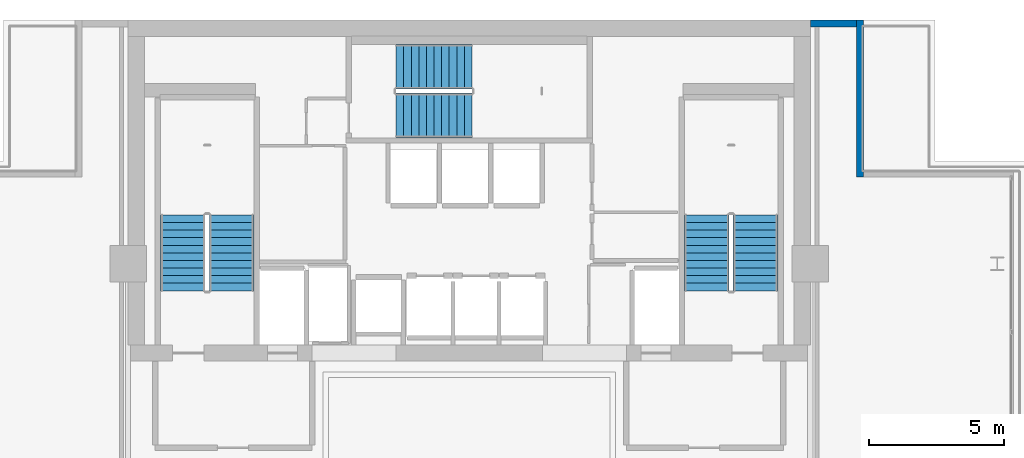
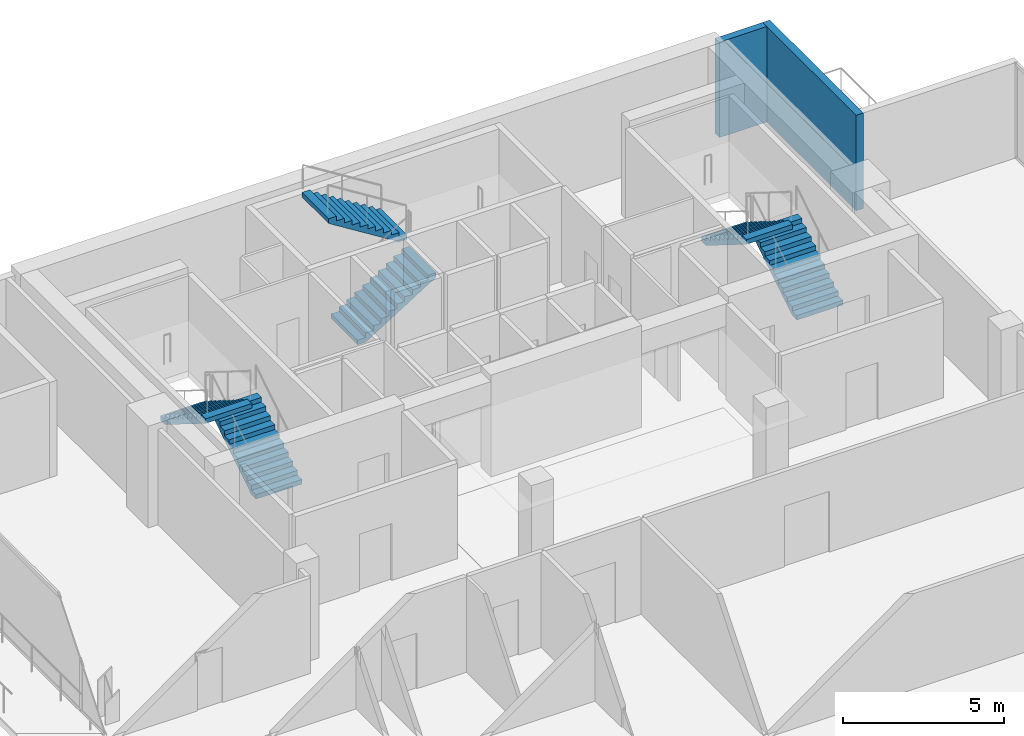
# One storey, part 18 of 21: 6 stair flights, 2 walls, 3 elements without a shape of their own.
"""IFC4 building model written with IfcOpenShell, lengths in metres."""

from ifc_helpers import new_model, si_unit, direction, frame, frame_2d, origin, place, context, subcontext, project, spatial, polyline, rectangle, outline, extrude, material, layer, layer_set, type_object, element, aggregate, save


model = new_model("IFC4")

# Units and contexts
model_context = context("Model", 3, precision=1e-05, world=origin(), true_north=direction((0.0, 1.0)))
body_context = subcontext(model_context, "Body", "Model", "MODEL_VIEW")
ifc_project = project(units=[si_unit("LENGTHUNIT", "METRE"), si_unit("AREAUNIT", "SQUARE_METRE"), si_unit("VOLUMEUNIT", "CUBIC_METRE"), si_unit("PLANEANGLEUNIT", "RADIAN"), si_unit("MASSUNIT", "GRAM", prefix="KILO")], contexts=[model_context])

# Site, building, storey
site_placement = place(None, origin())
site = spatial("IfcSite", under=ifc_project, at=site_placement, CompositionType="ELEMENT")
building_placement = place(site_placement, origin())
building = spatial("IfcBuilding", under=site, at=building_placement, Name="Maruvema Waterfront Hotel and Observation Tower", CompositionType="ELEMENT")
storey_placement = place(building_placement, frame((0.0, 0.0, 322.0)))
storey = spatial("IfcBuildingStorey", under=building, at=storey_placement, Name="L79", CompositionType="ELEMENT", Elevation=322.0)

# Walls
ifc_material_1 = material(Name="Precast concrete C45/55 with honed Pernambuco granite facing", Category="masonry")
ifc_layer = layer(ifc_material_1, 0.260009765625, Name="Exterior Granite Clad Spandrel and Pier Wall 260 mm")
ifc_layer_set = layer_set([ifc_layer], Name="Precast concrete C45/55 with honed Pernambuco granite facing")
wall_type = type_object("IfcWallType", Name="Exterior Granite Clad Spandrel and Pier Wall 260 mm", PredefinedType="SOLIDWALL", material=ifc_layer_set)
wall_1_placement = place(storey_placement, frame((52.22998046875, 54.0, 0.0), z_axis=(0.0, 0.0, 1.0), x_axis=(0.0, -1.0, 0.0)))
element("IfcWall", 1, at=wall_1_placement, inside=storey, type_object=wall_type, Name="L79 Corner Notch Granite Pier Wall NE1", PredefinedType="SOLIDWALL", context=body_context, shape_type="SweptSolid", body=[
    extrude(rectangle(XDim=5.800048828125, YDim=0.260009765625, at=frame_2d((2.89990234375, 0.0))), origin(), (0.0, 0.0, 1.0), 3.610107421875),
])
wall_2_placement = place(storey_placement, frame((52.10009765625, 53.8701171875, 0.0), z_axis=(0.0, 0.0, 1.0), x_axis=(-1.0, 0.0, 0.0)))
element("IfcWall", 2, at=wall_2_placement, inside=storey, type_object=wall_type, Name="L79 North-East Core Flanking Pier Wall", PredefinedType="SOLIDWALL", context=body_context, shape_type="SweptSolid", body=[
    extrude(rectangle(XDim=1.7001953125, YDim=0.260009765625, at=frame_2d((0.85009765625, 0.0))), origin(), (0.0, 0.0, 1.0), 3.610107421875),
])

# Stair, stair flights
ifc_material_2 = material(Name="Concrete C50/60", Category="concrete")
stair_type = type_object("IfcStairType", Name="Dogleg Exit Stair 1650 mm (22R x 175.0 mm)", PredefinedType="HALF_TURN_STAIR", material=ifc_material_2)
stair_1_placement = place(storey_placement, origin())
stair_1 = element("IfcStair", 3, at=stair_1_placement, inside=storey, type_object=stair_type, Name="L79 ST-01", PredefinedType="HALF_TURN_STAIR")
ifc_material_3 = material(Name="Concrete C50/60", Category="concrete")
stair_flight_type = type_object("IfcStairFlightType", Name="Reinforced Concrete Stair Flight 1650 mm (11R x 175.0 mm)", PredefinedType="STRAIGHT", material=ifc_material_3)
stair_flight_1_placement = place(storey_placement, frame((29.02490234375, 44.0, 0.0), z_axis=(0.0, 0.0, 1.0), x_axis=(0.0, 1.0, 0.0)))
stair_flight_1 = element("IfcStairFlight", 4, at=stair_flight_1_placement, type_object=stair_flight_type, Name="ST-01 flight 1", NumberOfRisers=11, NumberOfTreads=10, PredefinedType="STRAIGHT", RiserHeight=0.175, TreadLength=0.28, context=body_context, shape_type="SweptSolid", body=[
    extrude(outline(polyline([(0.0, 0.0), (0.0, 0.175048828125), (0.280029296875, 0.175048828125), (0.280029296875, 0.35009765625), (0.56005859375, 0.35009765625), (0.56005859375, 0.52490234375), (0.840087890625, 0.52490234375), (0.840087890625, 0.699951171875), (1.1201171875, 0.699951171875), (1.1201171875, 0.875), (1.39990234375, 0.875), (1.39990234375, 1.050048828125), (1.679931640625, 1.050048828125), (1.679931640625, 1.22509765625), (1.9599609375, 1.22509765625), (1.9599609375, 1.39990234375), (2.239990234375, 1.39990234375), (2.239990234375, 1.574951171875), (2.52001953125, 1.574951171875), (2.52001953125, 1.75), (2.800048828125, 1.75), (2.800048828125, 1.925048828125), (2.800048828125, 1.5732421875), (0.28271484375, 0.0), (0.0, 0.0)])), frame((0.0, 0.824951171875, 0.0), z_axis=(0.0, -1.0, 0.0), x_axis=(1.0, 0.0, 0.0)), (0.0, 0.0, 1.0), 1.64990234375),
])
stair_flight_2_placement = place(storey_placement, frame((27.22509765625, 46.800048828125, 1.925048828125), z_axis=(0.0, 0.0, 1.0), x_axis=(0.0, -1.0, 0.0)))
stair_flight_2 = element("IfcStairFlight", 5, at=stair_flight_2_placement, type_object=stair_flight_type, Name="ST-01 flight 2", NumberOfRisers=11, NumberOfTreads=10, PredefinedType="STRAIGHT", RiserHeight=0.175, TreadLength=0.28, context=body_context, shape_type="SweptSolid", body=[
    extrude(outline(polyline([(0.0, 0.0), (0.0, 0.175048828125), (0.280029296875, 0.175048828125), (0.280029296875, 0.35009765625), (0.56005859375, 0.35009765625), (0.56005859375, 0.52490234375), (0.840087890625, 0.52490234375), (0.840087890625, 0.699951171875), (1.1201171875, 0.699951171875), (1.1201171875, 0.875), (1.39990234375, 0.875), (1.39990234375, 1.050048828125), (1.679931640625, 1.050048828125), (1.679931640625, 1.22509765625), (1.9599609375, 1.22509765625), (1.9599609375, 1.39990234375), (2.239990234375, 1.39990234375), (2.239990234375, 1.574951171875), (2.52001953125, 1.574951171875), (2.52001953125, 1.75), (2.800048828125, 1.75), (2.800048828125, 1.925048828125), (2.800048828125, 1.5732421875), (0.28271484375, 0.0), (0.0, 0.0)])), frame((0.0, 0.824951171875, 0.0), z_axis=(0.0, -1.0, 0.0), x_axis=(1.0, 0.0, 0.0)), (0.0, 0.0, 1.0), 1.64990234375),
])
aggregate(stair_1, [stair_flight_1, stair_flight_2])

stair_2_placement = place(storey_placement, origin())
stair_2 = element("IfcStair", 6, at=stair_2_placement, inside=storey, type_object=stair_type, Name="L79 ST-02", PredefinedType="HALF_TURN_STAIR")
stair_flight_3_placement = place(storey_placement, frame((35.10009765625, 50.47509765625, 0.0), z_axis=(0.0, 0.0, 1.0), x_axis=(1.0, 0.0, 0.0)))
stair_flight_3 = element("IfcStairFlight", 7, at=stair_flight_3_placement, type_object=stair_flight_type, Name="ST-02 flight 1", NumberOfRisers=11, NumberOfTreads=10, PredefinedType="STRAIGHT", RiserHeight=0.175, TreadLength=0.28, context=body_context, shape_type="SweptSolid", body=[
    extrude(outline(polyline([(0.0, 0.0), (0.0, 0.175048828125), (0.280029296875, 0.175048828125), (0.280029296875, 0.35009765625), (0.56005859375, 0.35009765625), (0.56005859375, 0.52490234375), (0.840087890625, 0.52490234375), (0.840087890625, 0.699951171875), (1.1201171875, 0.699951171875), (1.1201171875, 0.875), (1.39990234375, 0.875), (1.39990234375, 1.050048828125), (1.679931640625, 1.050048828125), (1.679931640625, 1.22509765625), (1.9599609375, 1.22509765625), (1.9599609375, 1.39990234375), (2.239990234375, 1.39990234375), (2.239990234375, 1.574951171875), (2.52001953125, 1.574951171875), (2.52001953125, 1.75), (2.800048828125, 1.75), (2.800048828125, 1.925048828125), (2.800048828125, 1.5732421875), (0.28271484375, 0.0), (0.0, 0.0)])), frame((0.0, 0.824951171875, 0.0), z_axis=(0.0, -1.0, 0.0), x_axis=(1.0, 0.0, 0.0)), (0.0, 0.0, 1.0), 1.64990234375),
])
stair_flight_4_placement = place(storey_placement, frame((37.89990234375, 52.27490234375, 1.925048828125), z_axis=(0.0, 0.0, 1.0), x_axis=(-1.0, 0.0, 0.0)))
stair_flight_4 = element("IfcStairFlight", 8, at=stair_flight_4_placement, type_object=stair_flight_type, Name="ST-02 flight 2", NumberOfRisers=11, NumberOfTreads=10, PredefinedType="STRAIGHT", RiserHeight=0.175, TreadLength=0.28, context=body_context, shape_type="SweptSolid", body=[
    extrude(outline(polyline([(0.0, 0.0), (0.0, 0.175048828125), (0.280029296875, 0.175048828125), (0.280029296875, 0.35009765625), (0.56005859375, 0.35009765625), (0.56005859375, 0.52490234375), (0.840087890625, 0.52490234375), (0.840087890625, 0.699951171875), (1.1201171875, 0.699951171875), (1.1201171875, 0.875), (1.39990234375, 0.875), (1.39990234375, 1.050048828125), (1.679931640625, 1.050048828125), (1.679931640625, 1.22509765625), (1.9599609375, 1.22509765625), (1.9599609375, 1.39990234375), (2.239990234375, 1.39990234375), (2.239990234375, 1.574951171875), (2.52001953125, 1.574951171875), (2.52001953125, 1.75), (2.800048828125, 1.75), (2.800048828125, 1.925048828125), (2.800048828125, 1.5732421875), (0.28271484375, 0.0), (0.0, 0.0)])), frame((0.0, 0.824951171875, 0.0), z_axis=(0.0, -1.0, 0.0), x_axis=(1.0, 0.0, 0.0)), (0.0, 0.0, 1.0), 1.64990234375),
])
aggregate(stair_2, [stair_flight_3, stair_flight_4])

stair_3_placement = place(storey_placement, origin())
stair_3 = element("IfcStair", 9, at=stair_3_placement, inside=storey, type_object=stair_type, Name="L79 ST-03", PredefinedType="HALF_TURN_STAIR")
stair_flight_5_placement = place(storey_placement, frame((48.375, 44.0, 0.0), z_axis=(0.0, 0.0, 1.0), x_axis=(0.0, 1.0, 0.0)))
stair_flight_5 = element("IfcStairFlight", 10, at=stair_flight_5_placement, type_object=stair_flight_type, Name="ST-03 flight 1", NumberOfRisers=11, NumberOfTreads=10, PredefinedType="STRAIGHT", RiserHeight=0.175, TreadLength=0.28, context=body_context, shape_type="SweptSolid", body=[
    extrude(outline(polyline([(0.0, 0.0), (0.0, 0.175048828125), (0.280029296875, 0.175048828125), (0.280029296875, 0.35009765625), (0.56005859375, 0.35009765625), (0.56005859375, 0.52490234375), (0.840087890625, 0.52490234375), (0.840087890625, 0.699951171875), (1.1201171875, 0.699951171875), (1.1201171875, 0.875), (1.39990234375, 0.875), (1.39990234375, 1.050048828125), (1.679931640625, 1.050048828125), (1.679931640625, 1.22509765625), (1.9599609375, 1.22509765625), (1.9599609375, 1.39990234375), (2.239990234375, 1.39990234375), (2.239990234375, 1.574951171875), (2.52001953125, 1.574951171875), (2.52001953125, 1.75), (2.800048828125, 1.75), (2.800048828125, 1.925048828125), (2.800048828125, 1.5732421875), (0.28271484375, 0.0), (0.0, 0.0)])), frame((0.0, 0.824951171875, 0.0), z_axis=(0.0, -1.0, 0.0), x_axis=(1.0, 0.0, 0.0)), (0.0, 0.0, 1.0), 1.64990234375),
])
stair_flight_6_placement = place(storey_placement, frame((46.574951171875, 46.800048828125, 1.925048828125), z_axis=(0.0, 0.0, 1.0), x_axis=(0.0, -1.0, 0.0)))
stair_flight_6 = element("IfcStairFlight", 11, at=stair_flight_6_placement, type_object=stair_flight_type, Name="ST-03 flight 2", NumberOfRisers=11, NumberOfTreads=10, PredefinedType="STRAIGHT", RiserHeight=0.175, TreadLength=0.28, context=body_context, shape_type="SweptSolid", body=[
    extrude(outline(polyline([(0.0, 0.0), (0.0, 0.175048828125), (0.280029296875, 0.175048828125), (0.280029296875, 0.35009765625), (0.56005859375, 0.35009765625), (0.56005859375, 0.52490234375), (0.840087890625, 0.52490234375), (0.840087890625, 0.699951171875), (1.1201171875, 0.699951171875), (1.1201171875, 0.875), (1.39990234375, 0.875), (1.39990234375, 1.050048828125), (1.679931640625, 1.050048828125), (1.679931640625, 1.22509765625), (1.9599609375, 1.22509765625), (1.9599609375, 1.39990234375), (2.239990234375, 1.39990234375), (2.239990234375, 1.574951171875), (2.52001953125, 1.574951171875), (2.52001953125, 1.75), (2.800048828125, 1.75), (2.800048828125, 1.925048828125), (2.800048828125, 1.5732421875), (0.28271484375, 0.0), (0.0, 0.0)])), frame((0.0, 0.824951171875, 0.0), z_axis=(0.0, -1.0, 0.0), x_axis=(1.0, 0.0, 0.0)), (0.0, 0.0, 1.0), 1.64990234375),
])
aggregate(stair_3, [stair_flight_5, stair_flight_6])

save(model, "model.ifc")
